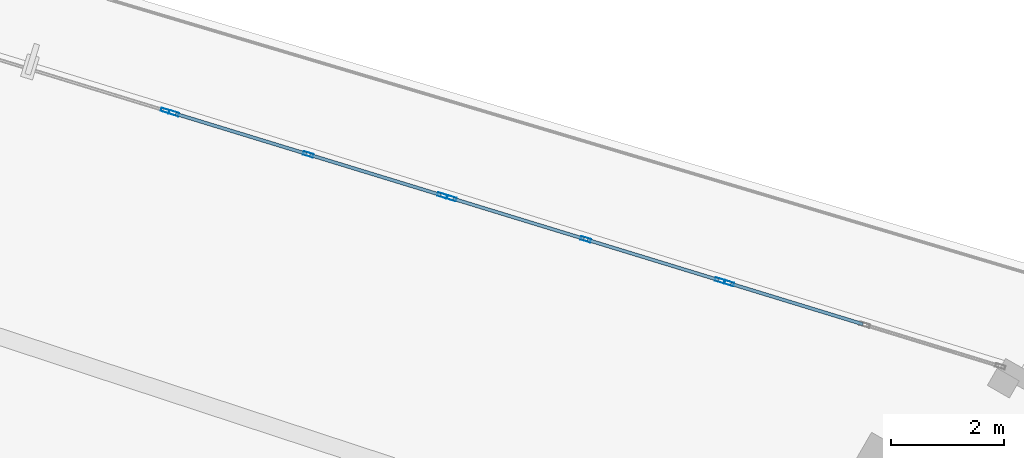
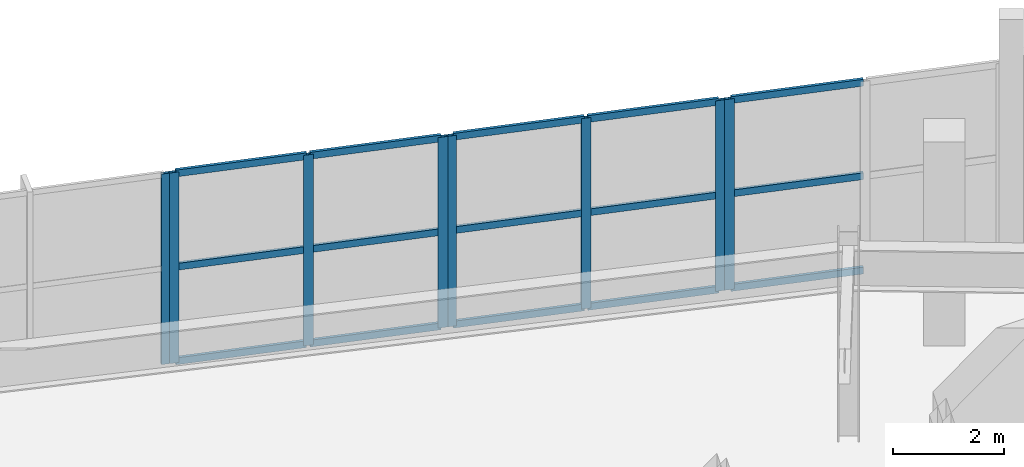
# One storey, part 56 of 123: 23 members, 4 elements without a shape of their own.
"""IFC4 building model written with IfcOpenShell, lengths in metres."""

from ifc_helpers import new_model, si_unit, direction, frame, origin, origin_2d, place, context, subcontext, project, spatial, hollow_rectangle, extrude, material, layer, layer_set, material_profile, profile_set, type_object, element, aggregate, save


model = new_model("IFC4")

# Units and contexts
model_context = context("Model", 3, precision=1e-05, world=origin(), true_north=direction((0.0, 1.0)))
body_context = subcontext(model_context, "Body", "Model", "MODEL_VIEW")
ifc_project = project(units=[si_unit("LENGTHUNIT", "METRE"), si_unit("AREAUNIT", "SQUARE_METRE"), si_unit("VOLUMEUNIT", "CUBIC_METRE"), si_unit("PLANEANGLEUNIT", "RADIAN"), si_unit("MASSUNIT", "GRAM", prefix="KILO")], contexts=[model_context])

# Site, building, storey
site_placement = place(None, origin())
site = spatial("IfcSite", under=ifc_project, at=site_placement, CompositionType="ELEMENT")
building_placement = place(site_placement, origin())
building = spatial("IfcBuilding", under=site, at=building_placement, Name="Kalgoora Escarpment Arena", CompositionType="ELEMENT")
storey_placement = place(building_placement, frame((0.0, 0.0, 9.89990234375)))
storey = spatial("IfcBuildingStorey", under=building, at=storey_placement, Name="L02", CompositionType="ELEMENT", Elevation=9.89990234375)

# Curtain wall, member
ifc_material_1 = material(Name=" Champagne anodised aluminium & double-glazed low-E", Category="aluminium")
ifc_layer_1 = layer(ifc_material_1, 0.14990234375)
ifc_layer_set_1 = layer_set([ifc_layer_1], Name="CW-UNIT-20")
curtain_wall_type_1 = type_object("IfcCurtainWallType", Name="CW-UNIT-20", PredefinedType="NOTDEFINED", material=ifc_layer_set_1)
curtain_wall_1_placement = place(storey_placement, origin())
curtain_wall_1 = element("IfcCurtainWall", 1, at=curtain_wall_1_placement, inside=storey, type_object=curtain_wall_type_1, Name="L02 unitised facade curtain wall 079", PredefinedType="NOTDEFINED")
ifc_material_2 = material(Name="Anodised aluminium 6063-T6", Category="aluminium")
ifc_material_profile_1 = material_profile(ifc_material_2, hollow_rectangle(XDim=0.06005859375, YDim=0.14990234375, WallThickness=0.00341796875, at=origin_2d()))
ifc_profile_set_1 = profile_set([ifc_material_profile_1], Name="Anodised aluminium 6063-T6")
member_type_1 = type_object("IfcMemberType", Name="MEM-CW-MULL-150", PredefinedType="MULLION", material=ifc_profile_set_1)
member_1_placement = place(storey_placement, frame((118.728271484375, 121.489501953125, 0.02001953125), z_axis=(0.0, 0.0, 1.0), x_axis=(0.29274500326, 0.956190547467, 0.0)))
member_1 = element("IfcMember", 2, at=member_1_placement, type_object=member_type_1, Name="CW-20 mullion 2", PredefinedType="MULLION", context=body_context, shape_type="SweptSolid", body=[
    extrude(hollow_rectangle(XDim=0.06005859375, YDim=0.14990234375, WallThickness=0.00341796875, at=origin_2d()), origin(), (0.0, 0.0, 1.0), 4.205078125),
])
aggregate(curtain_wall_1, [member_1])

# Curtain wall, members
ifc_material_3 = material(Name=" Champagne anodised aluminium & double-glazed low-E", Category="aluminium")
ifc_layer_2 = layer(ifc_material_3, 0.154052734375)
ifc_layer_set_2 = layer_set([ifc_layer_2], Name="CW-UNIT-01")
curtain_wall_type_2 = type_object("IfcCurtainWallType", Name="CW-UNIT-01", PredefinedType="NOTDEFINED", material=ifc_layer_set_2)
curtain_wall_2_placement = place(storey_placement, origin())
curtain_wall_2 = element("IfcCurtainWall", 3, at=curtain_wall_2_placement, inside=storey, type_object=curtain_wall_type_2, Name="L02 unitised facade curtain wall 080", PredefinedType="NOTDEFINED")
ifc_material_4 = material(Name="Anodised aluminium 6063-T6", Category="aluminium")
ifc_material_profile_2 = material_profile(ifc_material_4, hollow_rectangle(XDim=0.06494140625, YDim=0.179931640625, WallThickness=0.00390625, at=origin_2d()))
ifc_profile_set_2 = profile_set([ifc_material_profile_2], Name="Anodised aluminium 6063-T6")
member_type_2 = type_object("IfcMemberType", Name="MEM-CW-MULL-180", PredefinedType="MULLION", material=ifc_profile_set_2)
member_2_placement = place(storey_placement, frame((118.8837890625, 121.44189453125, 0.02001953125), z_axis=(0.0, 0.0, 1.0), x_axis=(0.292733115095, 0.956194187039, 0.0)))
member_2 = element("IfcMember", 4, at=member_2_placement, type_object=member_type_2, Name="CW-01 mullion 1", PredefinedType="MULLION", context=body_context, shape_type="SweptSolid", body=[
    extrude(hollow_rectangle(XDim=0.06494140625, YDim=0.179931640625, WallThickness=0.00390625, at=origin_2d()), origin(), (0.0, 0.0, 1.0), 4.205078125),
])
member_3_placement = place(storey_placement, frame((121.26708984375, 120.71240234375, 0.02001953125), z_axis=(0.0, 0.0, 1.0), x_axis=(0.292733115095, 0.956194187039, 0.0)))
member_3 = element("IfcMember", 5, at=member_3_placement, type_object=member_type_2, Name="CW-01 mullion 2", PredefinedType="MULLION", context=body_context, shape_type="SweptSolid", body=[
    extrude(hollow_rectangle(XDim=0.06494140625, YDim=0.179931640625, WallThickness=0.00390625, at=origin_2d()), origin(), (0.0, 0.0, 1.0), 4.205078125),
])
member_4_placement = place(storey_placement, frame((123.650634765625, 119.982666015625, 0.02001953125), z_axis=(0.0, 0.0, 1.0), x_axis=(0.292733115095, 0.956194187039, 0.0)))
member_4 = element("IfcMember", 6, at=member_4_placement, type_object=member_type_2, Name="CW-01 mullion 3", PredefinedType="MULLION", context=body_context, shape_type="SweptSolid", body=[
    extrude(hollow_rectangle(XDim=0.06494140625, YDim=0.179931640625, WallThickness=0.00390625, at=origin_2d()), origin(), (0.0, 0.0, 1.0), 4.205078125),
])

ifc_material_5 = material(Name=" Champagne anodised aluminium & double-glazed low-E", Category="aluminium")
ifc_layer_3 = layer(ifc_material_5, 0.157958984375)
ifc_layer_set_3 = layer_set([ifc_layer_3], Name="CW-UNIT-02")
curtain_wall_type_3 = type_object("IfcCurtainWallType", Name="CW-UNIT-02", PredefinedType="NOTDEFINED", material=ifc_layer_set_3)
curtain_wall_3_placement = place(storey_placement, origin())
curtain_wall_3 = element("IfcCurtainWall", 7, at=curtain_wall_3_placement, inside=storey, type_object=curtain_wall_type_3, Name="L02 unitised facade curtain wall 081", PredefinedType="NOTDEFINED")
member_5_placement = place(storey_placement, frame((123.80859375, 119.934326171875, 0.02001953125), z_axis=(0.0, 0.0, 1.0), x_axis=(0.292751218834, 0.9561886445, 0.0)))
member_5 = element("IfcMember", 8, at=member_5_placement, type_object=member_type_2, Name="CW-02 mullion 1", PredefinedType="MULLION", context=body_context, shape_type="SweptSolid", body=[
    extrude(hollow_rectangle(XDim=0.06494140625, YDim=0.179931640625, WallThickness=0.00390625, at=origin_2d()), origin(), (0.0, 0.0, 1.0), 4.205078125),
])
member_6_placement = place(storey_placement, frame((126.19189453125, 119.20458984375, 0.02001953125), z_axis=(0.0, 0.0, 1.0), x_axis=(0.292751218834, 0.9561886445, 0.0)))
member_6 = element("IfcMember", 9, at=member_6_placement, type_object=member_type_2, Name="CW-02 mullion 2", PredefinedType="MULLION", context=body_context, shape_type="SweptSolid", body=[
    extrude(hollow_rectangle(XDim=0.06494140625, YDim=0.179931640625, WallThickness=0.00390625, at=origin_2d()), origin(), (0.0, 0.0, 1.0), 4.205078125),
])
member_7_placement = place(storey_placement, frame((128.575439453125, 118.474853515625, 0.02001953125), z_axis=(0.0, 0.0, 1.0), x_axis=(0.292751218834, 0.9561886445, 0.0)))
member_7 = element("IfcMember", 10, at=member_7_placement, type_object=member_type_2, Name="CW-02 mullion 3", PredefinedType="MULLION", context=body_context, shape_type="SweptSolid", body=[
    extrude(hollow_rectangle(XDim=0.06494140625, YDim=0.179931640625, WallThickness=0.00390625, at=origin_2d()), origin(), (0.0, 0.0, 1.0), 4.205078125),
])

# Curtain wall, member
ifc_material_6 = material(Name=" Champagne anodised aluminium & double-glazed low-E", Category="aluminium")
ifc_layer_4 = layer(ifc_material_6, 0.162109375)
ifc_layer_set_4 = layer_set([ifc_layer_4], Name="CW-UNIT-03")
curtain_wall_type_4 = type_object("IfcCurtainWallType", Name="CW-UNIT-03", PredefinedType="NOTDEFINED", material=ifc_layer_set_4)
curtain_wall_4_placement = place(storey_placement, origin())
curtain_wall_4 = element("IfcCurtainWall", 11, at=curtain_wall_4_placement, inside=storey, type_object=curtain_wall_type_4, Name="L02 unitised facade curtain wall 082", PredefinedType="NOTDEFINED")
member_8_placement = place(storey_placement, frame((128.733154296875, 118.426513671875, 0.02001953125), z_axis=(0.0, 0.0, 1.0), x_axis=(0.29274500326, 0.956190547467, 0.0)))
member_8 = element("IfcMember", 12, at=member_8_placement, type_object=member_type_2, Name="CW-03 mullion 1", PredefinedType="MULLION", context=body_context, shape_type="SweptSolid", body=[
    extrude(hollow_rectangle(XDim=0.06494140625, YDim=0.179931640625, WallThickness=0.00390625, at=origin_2d()), origin(), (0.0, 0.0, 1.0), 4.205078125),
])

# Member
ifc_material_7 = material(Name="Anodised aluminium 6063-T6", Category="aluminium")
ifc_material_profile_3 = material_profile(ifc_material_7, hollow_rectangle(XDim=0.06005859375, YDim=0.14990234375, WallThickness=0.00341796875, at=origin_2d()))
ifc_profile_set_3 = profile_set([ifc_material_profile_3], Name="Anodised aluminium 6063-T6")
member_type_3 = type_object("IfcMemberType", Name="MEM-CW-TRAN-150", PredefinedType="USERDEFINED", material=ifc_profile_set_3)
member_9_placement = place(storey_placement, frame((118.914794921875, 121.432373046875, 0.050048828125), z_axis=(0.956217187813, -0.292657973973, 0.0), x_axis=(0.292657973973, 0.956217187813, 0.0)))
member_9 = element("IfcMember", 13, at=member_9_placement, type_object=member_type_3, Name="CW-01 transom 1.1", ObjectType="TRANSOM", PredefinedType="USERDEFINED", context=body_context, shape_type="SweptSolid", body=[
    extrude(hollow_rectangle(XDim=0.06005859375, YDim=0.14990234375, WallThickness=0.00341796875, at=origin_2d()), origin(), (0.0, 0.0, 1.0), 2.427490234375),
])

member_10_placement = place(storey_placement, frame((118.914794921875, 121.432373046875, 2.132568359375), z_axis=(0.956217187813, -0.292657973973, 0.0), x_axis=(0.292657973973, 0.956217187813, 0.0)))
member_10 = element("IfcMember", 14, at=member_10_placement, type_object=member_type_3, Name="CW-01 transom 1.2", ObjectType="TRANSOM", PredefinedType="USERDEFINED", context=body_context, shape_type="SweptSolid", body=[
    extrude(hollow_rectangle(XDim=0.06005859375, YDim=0.14990234375, WallThickness=0.00341796875, at=origin_2d()), origin(), (0.0, 0.0, 1.0), 2.427490234375),
])

member_11_placement = place(storey_placement, frame((118.914794921875, 121.432373046875, 4.195068359375), z_axis=(0.956217187813, -0.292657973973, 0.0), x_axis=(0.292657973973, 0.956217187813, 0.0)))
member_11 = element("IfcMember", 15, at=member_11_placement, type_object=member_type_3, Name="CW-01 transom 1.3", ObjectType="TRANSOM", PredefinedType="USERDEFINED", context=body_context, shape_type="SweptSolid", body=[
    extrude(hollow_rectangle(XDim=0.06005859375, YDim=0.14990234375, WallThickness=0.00341796875, at=origin_2d()), origin(), (0.0, 0.0, 1.0), 2.427490234375),
])

member_12_placement = place(storey_placement, frame((121.29833984375, 120.702880859375, 0.050048828125), z_axis=(0.956189040321, -0.292749925996, 0.0), x_axis=(0.292749925996, 0.956189040321, 0.0)))
member_12 = element("IfcMember", 16, at=member_12_placement, type_object=member_type_3, Name="CW-01 transom 2.1", ObjectType="TRANSOM", PredefinedType="USERDEFINED", context=body_context, shape_type="SweptSolid", body=[
    extrude(hollow_rectangle(XDim=0.06005859375, YDim=0.14990234375, WallThickness=0.00341796875, at=origin_2d()), origin(), (0.0, 0.0, 1.0), 2.427734375),
])

member_13_placement = place(storey_placement, frame((121.29833984375, 120.702880859375, 2.132568359375), z_axis=(0.956189040321, -0.292749925996, 0.0), x_axis=(0.292749925996, 0.956189040321, 0.0)))
member_13 = element("IfcMember", 17, at=member_13_placement, type_object=member_type_3, Name="CW-01 transom 2.2", ObjectType="TRANSOM", PredefinedType="USERDEFINED", context=body_context, shape_type="SweptSolid", body=[
    extrude(hollow_rectangle(XDim=0.06005859375, YDim=0.14990234375, WallThickness=0.00341796875, at=origin_2d()), origin(), (0.0, 0.0, 1.0), 2.427734375),
])

member_14_placement = place(storey_placement, frame((121.29833984375, 120.702880859375, 4.195068359375), z_axis=(0.956189040321, -0.292749925996, 0.0), x_axis=(0.292749925996, 0.956189040321, 0.0)))
member_14 = element("IfcMember", 18, at=member_14_placement, type_object=member_type_3, Name="CW-01 transom 2.3", ObjectType="TRANSOM", PredefinedType="USERDEFINED", context=body_context, shape_type="SweptSolid", body=[
    extrude(hollow_rectangle(XDim=0.06005859375, YDim=0.14990234375, WallThickness=0.00341796875, at=origin_2d()), origin(), (0.0, 0.0, 1.0), 2.427734375),
])

aggregate(curtain_wall_2, [member_2, member_3, member_4, member_9, member_10, member_11, member_12, member_13, member_14])

member_15_placement = place(storey_placement, frame((123.839599609375, 119.9248046875, 0.050048828125), z_axis=(0.956189040321, -0.292749925996, 0.0), x_axis=(0.292749925996, 0.956189040321, 0.0)))
member_15 = element("IfcMember", 19, at=member_15_placement, type_object=member_type_3, Name="CW-02 transom 1.1", ObjectType="TRANSOM", PredefinedType="USERDEFINED", context=body_context, shape_type="SweptSolid", body=[
    extrude(hollow_rectangle(XDim=0.06005859375, YDim=0.14990234375, WallThickness=0.00341796875, at=origin_2d()), origin(), (0.0, 0.0, 1.0), 2.427734375),
])

member_16_placement = place(storey_placement, frame((123.839599609375, 119.9248046875, 2.132568359375), z_axis=(0.956189040321, -0.292749925996, 0.0), x_axis=(0.292749925996, 0.956189040321, 0.0)))
member_16 = element("IfcMember", 20, at=member_16_placement, type_object=member_type_3, Name="CW-02 transom 1.2", ObjectType="TRANSOM", PredefinedType="USERDEFINED", context=body_context, shape_type="SweptSolid", body=[
    extrude(hollow_rectangle(XDim=0.06005859375, YDim=0.14990234375, WallThickness=0.00341796875, at=origin_2d()), origin(), (0.0, 0.0, 1.0), 2.427734375),
])

member_17_placement = place(storey_placement, frame((123.839599609375, 119.9248046875, 4.195068359375), z_axis=(0.956189040321, -0.292749925996, 0.0), x_axis=(0.292749925996, 0.956189040321, 0.0)))
member_17 = element("IfcMember", 21, at=member_17_placement, type_object=member_type_3, Name="CW-02 transom 1.3", ObjectType="TRANSOM", PredefinedType="USERDEFINED", context=body_context, shape_type="SweptSolid", body=[
    extrude(hollow_rectangle(XDim=0.06005859375, YDim=0.14990234375, WallThickness=0.00341796875, at=origin_2d()), origin(), (0.0, 0.0, 1.0), 2.427734375),
])

member_18_placement = place(storey_placement, frame((126.22314453125, 119.195068359375, 0.050048828125), z_axis=(0.956189040321, -0.292749925996, 0.0), x_axis=(0.292749925996, 0.956189040321, 0.0)))
member_18 = element("IfcMember", 22, at=member_18_placement, type_object=member_type_3, Name="CW-02 transom 2.1", ObjectType="TRANSOM", PredefinedType="USERDEFINED", context=body_context, shape_type="SweptSolid", body=[
    extrude(hollow_rectangle(XDim=0.06005859375, YDim=0.14990234375, WallThickness=0.00341796875, at=origin_2d()), origin(), (0.0, 0.0, 1.0), 2.427734375),
])

member_19_placement = place(storey_placement, frame((126.22314453125, 119.195068359375, 2.132568359375), z_axis=(0.956189040321, -0.292749925996, 0.0), x_axis=(0.292749925996, 0.956189040321, 0.0)))
member_19 = element("IfcMember", 23, at=member_19_placement, type_object=member_type_3, Name="CW-02 transom 2.2", ObjectType="TRANSOM", PredefinedType="USERDEFINED", context=body_context, shape_type="SweptSolid", body=[
    extrude(hollow_rectangle(XDim=0.06005859375, YDim=0.14990234375, WallThickness=0.00341796875, at=origin_2d()), origin(), (0.0, 0.0, 1.0), 2.427734375),
])

member_20_placement = place(storey_placement, frame((126.22314453125, 119.195068359375, 4.195068359375), z_axis=(0.956189040321, -0.292749925996, 0.0), x_axis=(0.292749925996, 0.956189040321, 0.0)))
member_20 = element("IfcMember", 24, at=member_20_placement, type_object=member_type_3, Name="CW-02 transom 2.3", ObjectType="TRANSOM", PredefinedType="USERDEFINED", context=body_context, shape_type="SweptSolid", body=[
    extrude(hollow_rectangle(XDim=0.06005859375, YDim=0.14990234375, WallThickness=0.00341796875, at=origin_2d()), origin(), (0.0, 0.0, 1.0), 2.427734375),
])

aggregate(curtain_wall_3, [member_5, member_6, member_7, member_15, member_16, member_17, member_18, member_19, member_20])

member_21_placement = place(storey_placement, frame((128.76416015625, 118.4169921875, 0.050048828125), z_axis=(0.956189151682, -0.292749562263, 0.0), x_axis=(0.292749562263, 0.956189151682, 0.0)))
member_21 = element("IfcMember", 25, at=member_21_placement, type_object=member_type_3, Name="CW-03 transom 1.1", ObjectType="TRANSOM", PredefinedType="USERDEFINED", context=body_context, shape_type="SweptSolid", body=[
    extrude(hollow_rectangle(XDim=0.06005859375, YDim=0.14990234375, WallThickness=0.00341796875, at=origin_2d()), origin(), (0.0, 0.0, 1.0), 2.45263671875),
])

member_22_placement = place(storey_placement, frame((128.76416015625, 118.4169921875, 2.132568359375), z_axis=(0.956189151682, -0.292749562263, 0.0), x_axis=(0.292749562263, 0.956189151682, 0.0)))
member_22 = element("IfcMember", 26, at=member_22_placement, type_object=member_type_3, Name="CW-03 transom 1.2", ObjectType="TRANSOM", PredefinedType="USERDEFINED", context=body_context, shape_type="SweptSolid", body=[
    extrude(hollow_rectangle(XDim=0.06005859375, YDim=0.14990234375, WallThickness=0.00341796875, at=origin_2d()), origin(), (0.0, 0.0, 1.0), 2.45263671875),
])

member_23_placement = place(storey_placement, frame((128.76416015625, 118.4169921875, 4.195068359375), z_axis=(0.956189151682, -0.292749562263, 0.0), x_axis=(0.292749562263, 0.956189151682, 0.0)))
member_23 = element("IfcMember", 27, at=member_23_placement, type_object=member_type_3, Name="CW-03 transom 1.3", ObjectType="TRANSOM", PredefinedType="USERDEFINED", context=body_context, shape_type="SweptSolid", body=[
    extrude(hollow_rectangle(XDim=0.06005859375, YDim=0.14990234375, WallThickness=0.00341796875, at=origin_2d()), origin(), (0.0, 0.0, 1.0), 2.45263671875),
])

aggregate(curtain_wall_4, [member_8, member_21, member_22, member_23])

save(model, "model.ifc")
